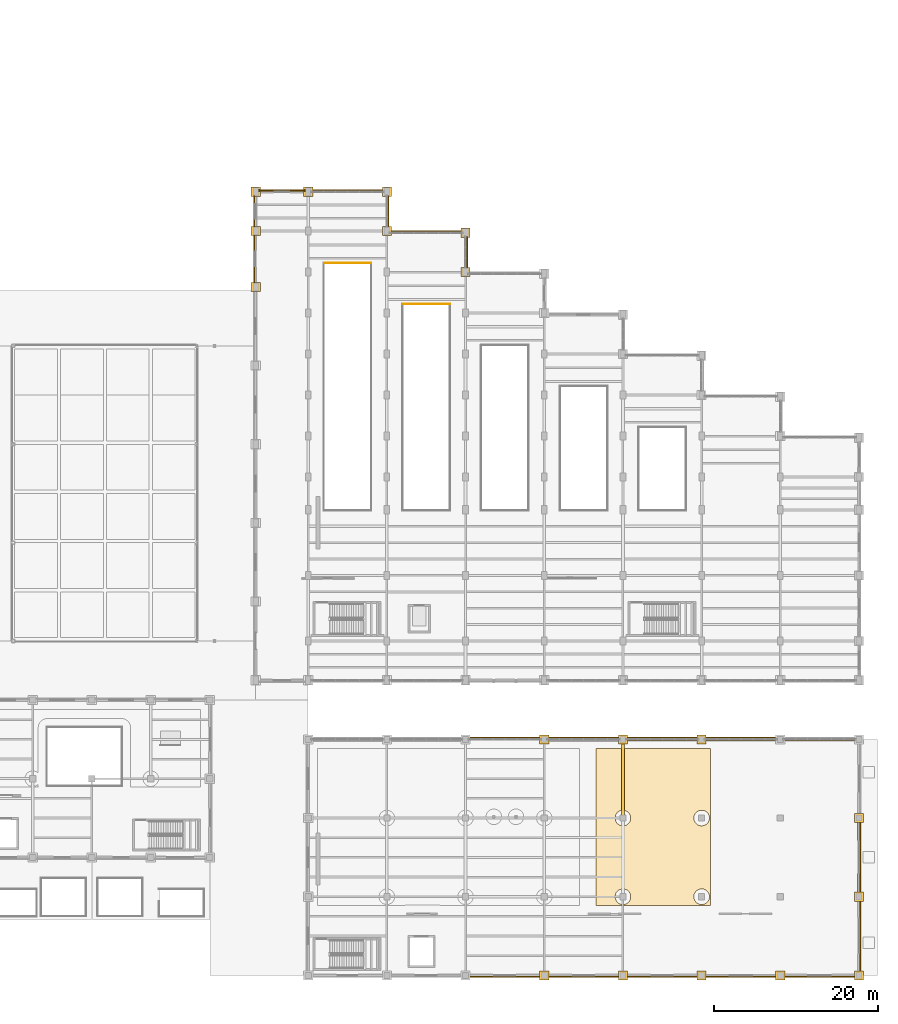
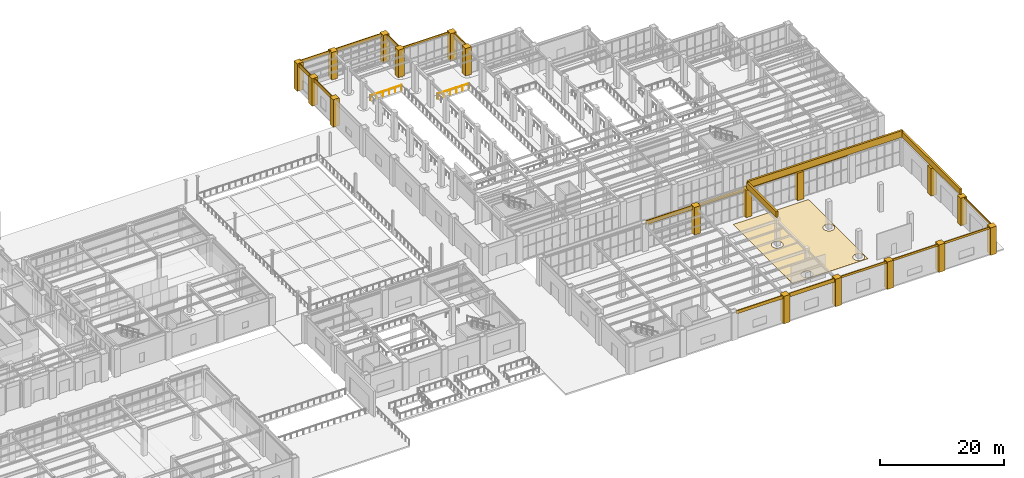
# One storey, part 158 of 164: 40 coverings, 2 railings.
"""IFC4 building model written with IfcOpenShell, lengths in metres."""

from ifc_helpers import new_model, si_unit, direction, frame, origin, origin_2d, place, context, subcontext, project, spatial, polyline, circle, outline, extrude, material, layer, layer_set, type_object, element, save


model = new_model("IFC4")

# Units and contexts
model_context = context("Model", 3, precision=1e-05, world=origin(), true_north=direction((0.0, 1.0)))
body_context = subcontext(model_context, "Body", "Model", "MODEL_VIEW")
ifc_project = project(units=[si_unit("LENGTHUNIT", "METRE"), si_unit("AREAUNIT", "SQUARE_METRE"), si_unit("VOLUMEUNIT", "CUBIC_METRE"), si_unit("PLANEANGLEUNIT", "RADIAN"), si_unit("MASSUNIT", "GRAM", prefix="KILO")], contexts=[model_context])

# Site, building, storey
site_placement = place(None, origin())
site = spatial("IfcSite", under=ifc_project, at=site_placement, CompositionType="ELEMENT")
building_placement = place(site_placement, origin())
building = spatial("IfcBuilding", under=site, at=building_placement, Name="Mavantir Sound Aquarium", CompositionType="ELEMENT")
storey_placement = place(building_placement, origin())
storey = spatial("IfcBuildingStorey", under=building, at=storey_placement, Name="L00", CompositionType="ELEMENT", Elevation=0.0)

# Coverings
ifc_material_1 = material(Name="Honed Coral-Limestone & Glazed Terracotta Rainscreen Cladding", Category="masonry")
ifc_layer_1 = layer(ifc_material_1, 0.06005859375, Name="Honed Coral-Limestone & Glazed Terracotta Rainscreen Cladding")
ifc_layer_set_1 = layer_set([ifc_layer_1], Name="Honed Coral-Limestone & Glazed Terracotta Rainscreen Cladding")
covering_type_1 = type_object("IfcCoveringType", Name="COV-CLAD-TC", PredefinedType="CLADDING", material=ifc_layer_set_1)
covering_1_placement = place(storey_placement, frame((0.0, 0.0, 4.4150390625)))
element("IfcCovering", 1, at=covering_1_placement, inside=storey, type_object=covering_type_1, Name="L00 Postmodern coral-limestone spandrel frieze 69", PredefinedType="CLADDING", context=body_context, shape_type="SweptSolid", body=[
    extrude(outline(polyline([(127.2900390625, 86.30810546875), (127.2900390625, 90.092041015625), (127.43994140625, 90.092041015625), (127.43994140625, 86.30810546875), (127.2900390625, 86.30810546875)])), origin(), (0.0, 0.0, 1.0), 0.98486328125),
])
covering_2_placement = place(storey_placement, frame((0.0, 0.0, 5.010009765625)))
element("IfcCovering", 2, at=covering_2_placement, inside=storey, type_object=covering_type_1, Name="L00 Postmodern coral-limestone spandrel frieze 70", PredefinedType="CLADDING", context=body_context, shape_type="SweptSolid", body=[
    extrude(outline(polyline([(126.842041015625, 90.68994140625), (117.9580078125, 90.68994140625), (117.9580078125, 90.840087890625), (126.842041015625, 90.840087890625), (126.842041015625, 90.68994140625)])), origin(), (0.0, 0.0, 1.0), 0.389892578125),
])
covering_3_placement = place(storey_placement, frame((0.0, 0.0, 4.51708984375)))
element("IfcCovering", 3, at=covering_3_placement, inside=storey, type_object=covering_type_1, Name="L00 Postmodern coral-limestone spandrel frieze 71", PredefinedType="CLADDING", context=body_context, shape_type="SweptSolid", body=[
    extrude(outline(polyline([(117.68994140625, 91.30810546875), (117.68994140625, 95.092041015625), (117.840087890625, 95.092041015625), (117.840087890625, 91.30810546875), (117.68994140625, 91.30810546875)])), origin(), (0.0, 0.0, 1.0), 0.8828125),
])
covering_4_placement = place(storey_placement, frame((0.0, 0.0, 4.677978515625)))
element("IfcCovering", 4, at=covering_4_placement, inside=storey, type_object=covering_type_1, Name="L00 Postmodern coral-limestone spandrel frieze 72", PredefinedType="CLADDING", context=body_context, shape_type="SweptSolid", body=[
    extrude(outline(polyline([(117.241943359375, 95.68994140625), (108.35791015625, 95.68994140625), (108.35791015625, 95.840087890625), (117.241943359375, 95.840087890625), (117.241943359375, 95.68994140625)])), origin(), (0.0, 0.0, 1.0), 0.721923828125),
])
covering_5_placement = place(storey_placement, frame((0.0, 0.0, 4.782958984375)))
element("IfcCovering", 5, at=covering_5_placement, inside=storey, type_object=covering_type_1, Name="L00 Postmodern coral-limestone spandrel frieze 73", PredefinedType="CLADDING", context=body_context, shape_type="SweptSolid", body=[
    extrude(outline(polyline([(107.64208984375, 95.68994140625), (101.9580078125, 95.68994140625), (101.9580078125, 95.840087890625), (107.64208984375, 95.840087890625), (107.64208984375, 95.68994140625)])), origin(), (0.0, 0.0, 1.0), 0.616943359375),
])
covering_6_placement = place(storey_placement, frame((0.0, 0.0, 4.676025390625)))
element("IfcCovering", 6, at=covering_6_placement, inside=storey, type_object=covering_type_1, Name="L00 Postmodern coral-limestone spandrel frieze 74", PredefinedType="CLADDING", context=body_context, shape_type="SweptSolid", body=[
    extrude(outline(polyline([(101.510009765625, 95.092041015625), (101.510009765625, 91.30810546875), (101.360107421875, 91.30810546875), (101.360107421875, 95.092041015625), (101.510009765625, 95.092041015625)])), origin(), (0.0, 0.0, 1.0), 0.723876953125),
])
covering_7_placement = place(storey_placement, frame((0.0, 0.0, 4.68603515625)))
element("IfcCovering", 7, at=covering_7_placement, inside=storey, type_object=covering_type_1, Name="L00 Postmodern coral-limestone spandrel frieze 75", PredefinedType="CLADDING", context=body_context, shape_type="SweptSolid", body=[
    extrude(outline(polyline([(101.510009765625, 90.2919921875), (101.510009765625, 84.508056640625), (101.360107421875, 84.508056640625), (101.360107421875, 90.2919921875), (101.510009765625, 90.2919921875)])), origin(), (0.0, 0.0, 1.0), 0.7138671875),
])
covering_8_placement = place(storey_placement, frame((0.0, 0.0, 4.996826171875)))
element("IfcCovering", 8, at=covering_8_placement, inside=storey, type_object=covering_type_1, Name="L00 Postmodern coral-limestone spandrel frieze 123", PredefinedType="CLADDING", context=body_context, shape_type="SweptSolid", body=[
    extrude(outline(polyline([(175.2900390625, 0.383056640625), (175.2900390625, 9.217041015625), (175.43994140625, 9.217041015625), (175.43994140625, 0.383056640625), (175.2900390625, 0.383056640625)])), origin(), (0.0, 0.0, 1.0), 0.403076171875),
])
covering_9_placement = place(storey_placement, frame((0.0, 0.0, 5.003662109375)))
element("IfcCovering", 9, at=covering_9_placement, inside=storey, type_object=covering_type_1, Name="L00 Postmodern coral-limestone spandrel frieze 124", PredefinedType="CLADDING", context=body_context, shape_type="SweptSolid", body=[
    extrude(outline(polyline([(175.2900390625, 9.98291015625), (175.2900390625, 18.81689453125), (175.43994140625, 18.81689453125), (175.43994140625, 9.98291015625), (175.2900390625, 9.98291015625)])), origin(), (0.0, 0.0, 1.0), 0.396240234375),
])
covering_10_placement = place(storey_placement, frame((0.0, 0.0, 5.010009765625)))
element("IfcCovering", 10, at=covering_10_placement, inside=storey, type_object=covering_type_1, Name="L00 Postmodern coral-limestone spandrel frieze 127", PredefinedType="CLADDING", context=body_context, shape_type="SweptSolid", body=[
    extrude(outline(polyline([(165.217041015625, 28.889892578125), (156.383056640625, 28.889892578125), (156.383056640625, 29.0400390625), (165.217041015625, 29.0400390625), (165.217041015625, 28.889892578125)])), origin(), (0.0, 0.0, 1.0), 0.389892578125),
])
covering_11_placement = place(storey_placement, frame((0.0, 0.0, 5.010009765625)))
element("IfcCovering", 11, at=covering_11_placement, inside=storey, type_object=covering_type_1, Name="L00 Postmodern coral-limestone spandrel frieze 128", PredefinedType="CLADDING", context=body_context, shape_type="SweptSolid", body=[
    extrude(outline(polyline([(155.616943359375, 28.889892578125), (146.782958984375, 28.889892578125), (146.782958984375, 29.0400390625), (155.616943359375, 29.0400390625), (155.616943359375, 28.889892578125)])), origin(), (0.0, 0.0, 1.0), 0.389892578125),
])
covering_12_placement = place(storey_placement, frame((0.0, 0.0, 4.72802734375)))
element("IfcCovering", 12, at=covering_12_placement, inside=storey, type_object=covering_type_1, Name="L00 Postmodern coral-limestone spandrel frieze 129", PredefinedType="CLADDING", context=body_context, shape_type="SweptSolid", body=[
    extrude(outline(polyline([(146.01708984375, 28.889892578125), (137.18310546875, 28.889892578125), (137.18310546875, 29.0400390625), (146.01708984375, 29.0400390625), (146.01708984375, 28.889892578125)])), origin(), (0.0, 0.0, 1.0), 0.671875),
])
covering_13_placement = place(storey_placement, frame((0.0, 0.0, 4.571044921875)))
element("IfcCovering", 13, at=covering_13_placement, inside=storey, type_object=covering_type_1, Name="L00 Postmodern coral-limestone spandrel frieze 130", PredefinedType="CLADDING", context=body_context, shape_type="SweptSolid", body=[
    extrude(outline(polyline([(136.4169921875, 28.889892578125), (127.5830078125, 28.889892578125), (127.5830078125, 29.0400390625), (136.4169921875, 29.0400390625), (136.4169921875, 28.889892578125)])), origin(), (0.0, 0.0, 1.0), 0.828857421875),
])
covering_14_placement = place(storey_placement, frame((0.0, 0.0, 4.762939453125)))
element("IfcCovering", 14, at=covering_14_placement, inside=storey, type_object=covering_type_1, Name="L00 Postmodern coral-limestone spandrel frieze 138", PredefinedType="CLADDING", context=body_context, shape_type="SweptSolid", body=[
    extrude(outline(polyline([(127.5830078125, -0.090087890625), (136.4169921875, -0.090087890625), (136.4169921875, -0.239990234375), (127.5830078125, -0.239990234375), (127.5830078125, -0.090087890625)])), origin(), (0.0, 0.0, 1.0), 0.636962890625),
])
covering_15_placement = place(storey_placement, frame((0.0, 0.0, 4.657958984375)))
element("IfcCovering", 15, at=covering_15_placement, inside=storey, type_object=covering_type_1, Name="L00 Postmodern coral-limestone spandrel frieze 139", PredefinedType="CLADDING", context=body_context, shape_type="SweptSolid", body=[
    extrude(outline(polyline([(137.18310546875, -0.090087890625), (146.01708984375, -0.090087890625), (146.01708984375, -0.239990234375), (137.18310546875, -0.239990234375), (137.18310546875, -0.090087890625)])), origin(), (0.0, 0.0, 1.0), 0.741943359375),
])
covering_16_placement = place(storey_placement, frame((0.0, 0.0, 4.996826171875)))
element("IfcCovering", 16, at=covering_16_placement, inside=storey, type_object=covering_type_1, Name="L00 Postmodern coral-limestone spandrel frieze 140", PredefinedType="CLADDING", context=body_context, shape_type="SweptSolid", body=[
    extrude(outline(polyline([(146.782958984375, -0.090087890625), (155.616943359375, -0.090087890625), (155.616943359375, -0.239990234375), (146.782958984375, -0.239990234375), (146.782958984375, -0.090087890625)])), origin(), (0.0, 0.0, 1.0), 0.403076171875),
])
covering_17_placement = place(storey_placement, frame((0.0, 0.0, 4.996826171875)))
element("IfcCovering", 17, at=covering_17_placement, inside=storey, type_object=covering_type_1, Name="L00 Postmodern coral-limestone spandrel frieze 141", PredefinedType="CLADDING", context=body_context, shape_type="SweptSolid", body=[
    extrude(outline(polyline([(156.383056640625, -0.090087890625), (165.217041015625, -0.090087890625), (165.217041015625, -0.239990234375), (156.383056640625, -0.239990234375), (156.383056640625, -0.090087890625)])), origin(), (0.0, 0.0, 1.0), 0.403076171875),
])
covering_18_placement = place(storey_placement, frame((0.0, 0.0, 4.996826171875)))
element("IfcCovering", 18, at=covering_18_placement, inside=storey, type_object=covering_type_1, Name="L00 Postmodern coral-limestone spandrel frieze 142", PredefinedType="CLADDING", context=body_context, shape_type="SweptSolid", body=[
    extrude(outline(polyline([(165.98291015625, -0.090087890625), (174.81689453125, -0.090087890625), (174.81689453125, -0.239990234375), (165.98291015625, -0.239990234375), (165.98291015625, -0.090087890625)])), origin(), (0.0, 0.0, 1.0), 0.403076171875),
])
covering_19_placement = place(storey_placement, origin())
element("IfcCovering", 19, at=covering_19_placement, inside=storey, type_object=covering_type_1, Name="L00 Postmodern coral-limestone pilaster casing 221", PredefinedType="CLADDING", context=body_context, shape_type="SweptSolid", body=[
    extrude(outline(polyline([(101.0400390625, 83.43994140625), (102.159912109375, 83.43994140625), (102.159912109375, 84.56005859375), (101.0400390625, 84.56005859375), (101.0400390625, 83.43994140625)])), origin(), (0.0, 0.0, 1.0), 5.39990234375),
])
covering_20_placement = place(storey_placement, origin())
element("IfcCovering", 20, at=covering_20_placement, inside=storey, type_object=covering_type_1, Name="L00 Postmodern coral-limestone pilaster casing 223", PredefinedType="CLADDING", context=body_context, shape_type="SweptSolid", body=[
    extrude(outline(polyline([(101.0400390625, 90.239990234375), (102.159912109375, 90.239990234375), (102.159912109375, 91.360107421875), (101.0400390625, 91.360107421875), (101.0400390625, 90.239990234375)])), origin(), (0.0, 0.0, 1.0), 5.39990234375),
])
covering_21_placement = place(storey_placement, origin())
element("IfcCovering", 21, at=covering_21_placement, inside=storey, type_object=covering_type_1, Name="L00 Postmodern coral-limestone pilaster casing 225", PredefinedType="CLADDING", context=body_context, shape_type="SweptSolid", body=[
    extrude(outline(polyline([(101.0400390625, 95.0400390625), (102.159912109375, 95.0400390625), (102.159912109375, 96.159912109375), (101.0400390625, 96.159912109375), (101.0400390625, 95.0400390625)])), origin(), (0.0, 0.0, 1.0), 5.39990234375),
])
covering_22_placement = place(storey_placement, origin())
element("IfcCovering", 22, at=covering_22_placement, inside=storey, type_object=covering_type_1, Name="L00 Postmodern coral-limestone pilaster casing 249", PredefinedType="CLADDING", context=body_context, shape_type="SweptSolid", body=[
    extrude(outline(polyline([(107.43994140625, 95.0400390625), (108.56005859375, 95.0400390625), (108.56005859375, 96.159912109375), (107.43994140625, 96.159912109375), (107.43994140625, 95.0400390625)])), origin(), (0.0, 0.0, 1.0), 5.39990234375),
])
covering_23_placement = place(storey_placement, origin())
element("IfcCovering", 23, at=covering_23_placement, inside=storey, type_object=covering_type_1, Name="L00 Postmodern coral-limestone pilaster casing 257", PredefinedType="CLADDING", context=body_context, shape_type="SweptSolid", body=[
    extrude(outline(polyline([(117.0400390625, 90.239990234375), (118.159912109375, 90.239990234375), (118.159912109375, 91.360107421875), (117.0400390625, 91.360107421875), (117.0400390625, 90.239990234375)])), origin(), (0.0, 0.0, 1.0), 5.39990234375),
])
covering_24_placement = place(storey_placement, origin())
element("IfcCovering", 24, at=covering_24_placement, inside=storey, type_object=covering_type_1, Name="L00 Postmodern coral-limestone pilaster casing 261", PredefinedType="CLADDING", context=body_context, shape_type="SweptSolid", body=[
    extrude(outline(polyline([(117.0400390625, 95.0400390625), (118.159912109375, 95.0400390625), (118.159912109375, 96.159912109375), (117.0400390625, 96.159912109375), (117.0400390625, 95.0400390625)])), origin(), (0.0, 0.0, 1.0), 5.39990234375),
])
covering_25_placement = place(storey_placement, origin())
element("IfcCovering", 25, at=covering_25_placement, inside=storey, type_object=covering_type_1, Name="L00 Postmodern coral-limestone pilaster casing 269", PredefinedType="CLADDING", context=body_context, shape_type="SweptSolid", body=[
    extrude(outline(polyline([(126.639892578125, 85.239990234375), (127.760009765625, 85.239990234375), (127.760009765625, 86.360107421875), (126.639892578125, 86.360107421875), (126.639892578125, 85.239990234375)])), origin(), (0.0, 0.0, 1.0), 5.39990234375),
])
covering_26_placement = place(storey_placement, origin())
element("IfcCovering", 26, at=covering_26_placement, inside=storey, type_object=covering_type_1, Name="L00 Postmodern coral-limestone pilaster casing 273", PredefinedType="CLADDING", context=body_context, shape_type="SweptSolid", body=[
    extrude(outline(polyline([(126.639892578125, 90.0400390625), (127.760009765625, 90.0400390625), (127.760009765625, 91.159912109375), (126.639892578125, 91.159912109375), (126.639892578125, 90.0400390625)])), origin(), (0.0, 0.0, 1.0), 5.39990234375),
])
covering_27_placement = place(storey_placement, origin())
element("IfcCovering", 27, at=covering_27_placement, inside=storey, type_object=covering_type_1, Name="L00 Postmodern coral-limestone pilaster casing 447", PredefinedType="CLADDING", context=body_context, shape_type="SweptSolid", body=[
    extrude(outline(polyline([(136.239990234375, -0.56005859375), (137.360107421875, -0.56005859375), (137.360107421875, 0.56005859375), (136.239990234375, 0.56005859375), (136.239990234375, -0.56005859375)])), origin(), (0.0, 0.0, 1.0), 5.39990234375),
])
covering_28_placement = place(storey_placement, origin())
element("IfcCovering", 28, at=covering_28_placement, inside=storey, type_object=covering_type_1, Name="L00 Postmodern coral-limestone pilaster casing 453", PredefinedType="CLADDING", context=body_context, shape_type="SweptSolid", body=[
    extrude(outline(polyline([(136.239990234375, 28.239990234375), (137.360107421875, 28.239990234375), (137.360107421875, 29.360107421875), (136.239990234375, 29.360107421875), (136.239990234375, 28.239990234375)])), origin(), (0.0, 0.0, 1.0), 5.39990234375),
])
covering_29_placement = place(storey_placement, origin())
element("IfcCovering", 29, at=covering_29_placement, inside=storey, type_object=covering_type_1, Name="L00 Postmodern coral-limestone pilaster casing 454", PredefinedType="CLADDING", context=body_context, shape_type="SweptSolid", body=[
    extrude(outline(polyline([(145.840087890625, -0.56005859375), (146.9599609375, -0.56005859375), (146.9599609375, 0.56005859375), (145.840087890625, 0.56005859375), (145.840087890625, -0.56005859375)])), origin(), (0.0, 0.0, 1.0), 5.39990234375),
])
covering_30_placement = place(storey_placement, origin())
element("IfcCovering", 30, at=covering_30_placement, inside=storey, type_object=covering_type_1, Name="L00 Postmodern coral-limestone pilaster casing 458", PredefinedType="CLADDING", context=body_context, shape_type="SweptSolid", body=[
    extrude(outline(polyline([(145.840087890625, 28.239990234375), (146.9599609375, 28.239990234375), (146.9599609375, 29.360107421875), (145.840087890625, 29.360107421875), (145.840087890625, 28.239990234375)])), origin(), (0.0, 0.0, 1.0), 5.39990234375),
])
covering_31_placement = place(storey_placement, origin())
element("IfcCovering", 31, at=covering_31_placement, inside=storey, type_object=covering_type_1, Name="L00 Postmodern coral-limestone pilaster casing 459", PredefinedType="CLADDING", context=body_context, shape_type="SweptSolid", body=[
    extrude(outline(polyline([(155.43994140625, -0.56005859375), (156.56005859375, -0.56005859375), (156.56005859375, 0.56005859375), (155.43994140625, 0.56005859375), (155.43994140625, -0.56005859375)])), origin(), (0.0, 0.0, 1.0), 5.39990234375),
])
covering_32_placement = place(storey_placement, origin())
element("IfcCovering", 32, at=covering_32_placement, inside=storey, type_object=covering_type_1, Name="L00 Postmodern coral-limestone pilaster casing 460", PredefinedType="CLADDING", context=body_context, shape_type="SweptSolid", body=[
    extrude(outline(polyline([(155.43994140625, 28.239990234375), (156.56005859375, 28.239990234375), (156.56005859375, 29.360107421875), (155.43994140625, 29.360107421875), (155.43994140625, 28.239990234375)])), origin(), (0.0, 0.0, 1.0), 5.39990234375),
])
covering_33_placement = place(storey_placement, origin())
element("IfcCovering", 33, at=covering_33_placement, inside=storey, type_object=covering_type_1, Name="L00 Postmodern coral-limestone pilaster casing 461", PredefinedType="CLADDING", context=body_context, shape_type="SweptSolid", body=[
    extrude(outline(polyline([(165.0400390625, -0.56005859375), (166.159912109375, -0.56005859375), (166.159912109375, 0.56005859375), (165.0400390625, 0.56005859375), (165.0400390625, -0.56005859375)])), origin(), (0.0, 0.0, 1.0), 5.39990234375),
])
covering_34_placement = place(storey_placement, origin())
element("IfcCovering", 34, at=covering_34_placement, inside=storey, type_object=covering_type_1, Name="L00 Postmodern coral-limestone pilaster casing 463", PredefinedType="CLADDING", context=body_context, shape_type="SweptSolid", body=[
    extrude(outline(polyline([(174.639892578125, -0.56005859375), (175.760009765625, -0.56005859375), (175.760009765625, 0.56005859375), (174.639892578125, 0.56005859375), (174.639892578125, -0.56005859375)])), origin(), (0.0, 0.0, 1.0), 5.39990234375),
])
covering_35_placement = place(storey_placement, origin())
element("IfcCovering", 35, at=covering_35_placement, inside=storey, type_object=covering_type_1, Name="L00 Postmodern coral-limestone pilaster casing 464", PredefinedType="CLADDING", context=body_context, shape_type="SweptSolid", body=[
    extrude(outline(polyline([(174.639892578125, 9.0400390625), (175.760009765625, 9.0400390625), (175.760009765625, 10.159912109375), (174.639892578125, 10.159912109375), (174.639892578125, 9.0400390625)])), origin(), (0.0, 0.0, 1.0), 5.39990234375),
])
covering_36_placement = place(storey_placement, origin())
element("IfcCovering", 36, at=covering_36_placement, inside=storey, type_object=covering_type_1, Name="L00 Postmodern coral-limestone pilaster casing 465", PredefinedType="CLADDING", context=body_context, shape_type="SweptSolid", body=[
    extrude(outline(polyline([(174.639892578125, 18.639892578125), (175.760009765625, 18.639892578125), (175.760009765625, 19.760009765625), (174.639892578125, 19.760009765625), (174.639892578125, 18.639892578125)])), origin(), (0.0, 0.0, 1.0), 5.39990234375),
])
covering_37_placement = place(storey_placement, frame((0.0, 0.0, 5.39990234375)))
element("IfcCovering", 37, at=covering_37_placement, inside=storey, type_object=covering_type_1, Name="L00 Postmodern coral-limestone tympanum closure V6L-TYM-N", PredefinedType="CLADDING", context=body_context, shape_type="SweptSolid", body=[
    extrude(outline(polyline([(146.39990234375, 28.6201171875), (175.199951171875, 28.6201171875), (175.199951171875, 28.97998046875), (146.39990234375, 28.97998046875), (146.39990234375, 28.6201171875)])), origin(), (0.0, 0.0, 1.0), 1.300048828125),
])
covering_38_placement = place(storey_placement, frame((0.0, 0.0, 5.39990234375)))
element("IfcCovering", 38, at=covering_38_placement, inside=storey, type_object=covering_type_1, Name="L00 Postmodern coral-limestone tympanum closure V6L-TYM-E", PredefinedType="CLADDING", context=body_context, shape_type="SweptSolid", body=[
    extrude(outline(polyline([(175.02001953125, 10.0), (175.3798828125, 10.0), (175.3798828125, 28.800048828125), (175.02001953125, 28.800048828125), (175.02001953125, 10.0)])), origin(), (0.0, 0.0, 1.0), 1.10009765625),
])
covering_39_placement = place(storey_placement, frame((0.0, 0.0, 5.39990234375)))
element("IfcCovering", 39, at=covering_39_placement, inside=storey, type_object=covering_type_1, Name="L00 Postmodern coral-limestone tympanum closure V6L-TYM-W", PredefinedType="CLADDING", context=body_context, shape_type="SweptSolid", body=[
    extrude(outline(polyline([(146.219970703125, 19.199951171875), (146.580078125, 19.199951171875), (146.580078125, 28.800048828125), (146.219970703125, 28.800048828125), (146.219970703125, 19.199951171875)])), origin(), (0.0, 0.0, 1.0), 1.150146484375),
])
ifc_material_2 = material(Name="Marine Epoxy Recycled-Shell Terrazzo Flooring")
ifc_layer_2 = layer(ifc_material_2, 0.030029296875, Name="Marine Epoxy Recycled-Shell Terrazzo Flooring")
ifc_layer_set_2 = layer_set([ifc_layer_2], Name="Marine Epoxy Recycled-Shell Terrazzo Flooring")
covering_type_2 = type_object("IfcCoveringType", Name="COV-FLR-TZ", PredefinedType="FLOORING", material=ifc_layer_set_2)
covering_40_placement = place(storey_placement, origin())
element("IfcCovering", 40, at=covering_40_placement, inside=storey, type_object=covering_type_2, Name="L00 Quarantine Isolation Pools and Necropsy Lab terrazzo flooring", PredefinedType="FLOORING", context=body_context, shape_type="SweptSolid", body=[
    extrude(outline(polyline([(143.10009765625, 27.659912109375), (157.10009765625, 27.659912109375), (157.10009765625, 8.5), (143.10009765625, 8.5), (143.10009765625, 27.659912109375)]), holes=[polyline([(147.134521484375, 8.997314453125), (147.18994140625, 9.072265625), (147.23779296875, 9.152099609375), (147.277587890625, 9.236572265625), (147.30908203125, 9.32421875), (147.331787109375, 9.414794921875), (147.345458984375, 9.5068359375), (147.35009765625, 9.60009765625), (147.345458984375, 9.693115234375), (147.331787109375, 9.785400390625), (147.30908203125, 9.875732421875), (147.277587890625, 9.96337890625), (147.23779296875, 10.0478515625), (147.18994140625, 10.127685546875), (147.134521484375, 10.20263671875), (147.07177734375, 10.271728515625), (147.002685546875, 10.33447265625), (146.927734375, 10.389892578125), (146.847900390625, 10.437744140625), (146.763427734375, 10.477783203125), (146.67578125, 10.509033203125), (146.585205078125, 10.53173828125), (146.4931640625, 10.54541015625), (146.39990234375, 10.550048828125), (146.306884765625, 10.54541015625), (146.214599609375, 10.53173828125), (146.124267578125, 10.509033203125), (146.03662109375, 10.477783203125), (145.9521484375, 10.437744140625), (145.872314453125, 10.389892578125), (145.79736328125, 10.33447265625), (145.728271484375, 10.271728515625), (145.66552734375, 10.20263671875), (145.610107421875, 10.127685546875), (145.562255859375, 10.0478515625), (145.522216796875, 9.96337890625), (145.490966796875, 9.875732421875), (145.46826171875, 9.785400390625), (145.45458984375, 9.693115234375), (145.449951171875, 9.60009765625), (145.45458984375, 9.5068359375), (145.46826171875, 9.414794921875), (145.490966796875, 9.32421875), (145.522216796875, 9.236572265625), (145.562255859375, 9.152099609375), (145.610107421875, 9.072265625), (145.66552734375, 8.997314453125), (145.728271484375, 8.92822265625), (145.79736328125, 8.865478515625), (145.872314453125, 8.81005859375), (145.9521484375, 8.76220703125), (146.03662109375, 8.722412109375), (146.124267578125, 8.69091796875), (146.214599609375, 8.668212890625), (146.306884765625, 8.654541015625), (146.39990234375, 8.64990234375), (146.4931640625, 8.654541015625), (146.585205078125, 8.668212890625), (146.67578125, 8.69091796875), (146.763427734375, 8.722412109375), (146.847900390625, 8.76220703125), (146.927734375, 8.81005859375), (147.002685546875, 8.865478515625), (147.07177734375, 8.92822265625), (147.134521484375, 8.997314453125)]), polyline([(156.734375, 8.997314453125), (156.789794921875, 9.072265625), (156.837890625, 9.152099609375), (156.877685546875, 9.236572265625), (156.9091796875, 9.32421875), (156.931640625, 9.414794921875), (156.9453125, 9.5068359375), (156.949951171875, 9.60009765625), (156.9453125, 9.693115234375), (156.931640625, 9.785400390625), (156.9091796875, 9.875732421875), (156.877685546875, 9.96337890625), (156.837890625, 10.0478515625), (156.789794921875, 10.127685546875), (156.734375, 10.20263671875), (156.671875, 10.271728515625), (156.602783203125, 10.33447265625), (156.52783203125, 10.389892578125), (156.44775390625, 10.437744140625), (156.363525390625, 10.477783203125), (156.27587890625, 10.509033203125), (156.185302734375, 10.53173828125), (156.093017578125, 10.54541015625), (156.0, 10.550048828125), (155.906982421875, 10.54541015625), (155.814697265625, 10.53173828125), (155.72412109375, 10.509033203125), (155.636474609375, 10.477783203125), (155.55224609375, 10.437744140625), (155.47216796875, 10.389892578125), (155.397216796875, 10.33447265625), (155.328125, 10.271728515625), (155.265625, 10.20263671875), (155.210205078125, 10.127685546875), (155.162109375, 10.0478515625), (155.122314453125, 9.96337890625), (155.0908203125, 9.875732421875), (155.068359375, 9.785400390625), (155.0546875, 9.693115234375), (155.050048828125, 9.60009765625), (155.0546875, 9.5068359375), (155.068359375, 9.414794921875), (155.0908203125, 9.32421875), (155.122314453125, 9.236572265625), (155.162109375, 9.152099609375), (155.210205078125, 9.072265625), (155.265625, 8.997314453125), (155.328125, 8.92822265625), (155.397216796875, 8.865478515625), (155.47216796875, 8.81005859375), (155.55224609375, 8.76220703125), (155.636474609375, 8.722412109375), (155.72412109375, 8.69091796875), (155.814697265625, 8.668212890625), (155.906982421875, 8.654541015625), (156.0, 8.64990234375), (156.093017578125, 8.654541015625), (156.185302734375, 8.668212890625), (156.27587890625, 8.69091796875), (156.363525390625, 8.722412109375), (156.44775390625, 8.76220703125), (156.52783203125, 8.81005859375), (156.602783203125, 8.865478515625), (156.671875, 8.92822265625), (156.734375, 8.997314453125)]), polyline([(156.734375, 18.597412109375), (156.789794921875, 18.672119140625), (156.837890625, 18.752197265625), (156.877685546875, 18.83642578125), (156.9091796875, 18.92431640625), (156.931640625, 19.0146484375), (156.9453125, 19.10693359375), (156.949951171875, 19.199951171875), (156.9453125, 19.293212890625), (156.931640625, 19.38525390625), (156.9091796875, 19.475830078125), (156.877685546875, 19.5634765625), (156.837890625, 19.647705078125), (156.789794921875, 19.727783203125), (156.734375, 19.802734375), (156.671875, 19.871826171875), (156.602783203125, 19.934326171875), (156.52783203125, 19.989990234375), (156.44775390625, 20.037841796875), (156.363525390625, 20.07763671875), (156.27587890625, 20.109130859375), (156.185302734375, 20.131591796875), (156.093017578125, 20.1455078125), (156.0, 20.14990234375), (155.906982421875, 20.1455078125), (155.814697265625, 20.131591796875), (155.72412109375, 20.109130859375), (155.636474609375, 20.07763671875), (155.55224609375, 20.037841796875), (155.47216796875, 19.989990234375), (155.397216796875, 19.934326171875), (155.328125, 19.871826171875), (155.265625, 19.802734375), (155.210205078125, 19.727783203125), (155.162109375, 19.647705078125), (155.122314453125, 19.5634765625), (155.0908203125, 19.475830078125), (155.068359375, 19.38525390625), (155.0546875, 19.293212890625), (155.050048828125, 19.199951171875), (155.0546875, 19.10693359375), (155.068359375, 19.0146484375), (155.0908203125, 18.92431640625), (155.122314453125, 18.83642578125), (155.162109375, 18.752197265625), (155.210205078125, 18.672119140625), (155.265625, 18.597412109375), (155.328125, 18.5283203125), (155.397216796875, 18.465576171875), (155.47216796875, 18.41015625), (155.55224609375, 18.3623046875), (155.636474609375, 18.322265625), (155.72412109375, 18.291015625), (155.814697265625, 18.268310546875), (155.906982421875, 18.254638671875), (156.0, 18.25), (156.093017578125, 18.254638671875), (156.185302734375, 18.268310546875), (156.27587890625, 18.291015625), (156.363525390625, 18.322265625), (156.44775390625, 18.3623046875), (156.52783203125, 18.41015625), (156.602783203125, 18.465576171875), (156.671875, 18.5283203125), (156.734375, 18.597412109375)]), polyline([(147.134521484375, 18.597412109375), (147.18994140625, 18.672119140625), (147.23779296875, 18.752197265625), (147.277587890625, 18.83642578125), (147.30908203125, 18.92431640625), (147.331787109375, 19.0146484375), (147.345458984375, 19.10693359375), (147.35009765625, 19.199951171875), (147.345458984375, 19.293212890625), (147.331787109375, 19.38525390625), (147.30908203125, 19.475830078125), (147.277587890625, 19.5634765625), (147.23779296875, 19.647705078125), (147.18994140625, 19.727783203125), (147.134521484375, 19.802734375), (147.07177734375, 19.871826171875), (147.002685546875, 19.934326171875), (146.927734375, 19.989990234375), (146.847900390625, 20.037841796875), (146.763427734375, 20.07763671875), (146.67578125, 20.109130859375), (146.585205078125, 20.131591796875), (146.4931640625, 20.1455078125), (146.39990234375, 20.14990234375), (146.306884765625, 20.1455078125), (146.214599609375, 20.131591796875), (146.124267578125, 20.109130859375), (146.03662109375, 20.07763671875), (145.9521484375, 20.037841796875), (145.872314453125, 19.989990234375), (145.79736328125, 19.934326171875), (145.728271484375, 19.871826171875), (145.66552734375, 19.802734375), (145.610107421875, 19.727783203125), (145.562255859375, 19.647705078125), (145.522216796875, 19.5634765625), (145.490966796875, 19.475830078125), (145.46826171875, 19.38525390625), (145.45458984375, 19.293212890625), (145.449951171875, 19.199951171875), (145.45458984375, 19.10693359375), (145.46826171875, 19.0146484375), (145.490966796875, 18.92431640625), (145.522216796875, 18.83642578125), (145.562255859375, 18.752197265625), (145.610107421875, 18.672119140625), (145.66552734375, 18.597412109375), (145.728271484375, 18.5283203125), (145.79736328125, 18.465576171875), (145.872314453125, 18.41015625), (145.9521484375, 18.3623046875), (146.03662109375, 18.322265625), (146.124267578125, 18.291015625), (146.214599609375, 18.268310546875), (146.306884765625, 18.254638671875), (146.39990234375, 18.25), (146.4931640625, 18.254638671875), (146.585205078125, 18.268310546875), (146.67578125, 18.291015625), (146.763427734375, 18.322265625), (146.847900390625, 18.3623046875), (146.927734375, 18.41015625), (147.002685546875, 18.465576171875), (147.07177734375, 18.5283203125), (147.134521484375, 18.597412109375)])]), origin(), (0.0, 0.0, 1.0), 0.030029296875),
])

# Railings
ifc_material_3 = material(Name="Stainless Steel 316 and Laminated Glass Guardrail", Category="steel")
railing_type = type_object("IfcRailingType", Name="RL-GUARD-110", PredefinedType="GUARDRAIL", material=ifc_material_3)
for number, where, name in (
    (41, (115.699951171875, 86.89990234375, 0.0), "L00 atrium void N guardrail 69"),
    (42, (125.300048828125, 81.89990234375, 0.0), "L00 atrium void N guardrail 73"),
):
    element("IfcRailing", number, at=place(storey_placement, frame(where)), inside=storey, type_object=railing_type, Name=name, PredefinedType="GUARDRAIL", context=body_context, shape_type="SweptSolid", body=[
        extrude(circle(Radius=0.02392578125, at=origin_2d()), frame((0.0, 0.0, 1.076171875), z_axis=(-1.0, 0.0, 0.0), x_axis=(0.0, -1.0, 0.0)), (0.0, 0.0, 1.0), 5.719970703125),
        extrude(circle(Radius=0.02099609375, at=origin_2d()), origin(), (0.0, 0.0, 1.0), 1.052001953125),
        extrude(circle(Radius=0.02099609375, at=origin_2d()), frame((-1.14404296875, 0.0, 0.0)), (0.0, 0.0, 1.0), 1.052001953125),
        extrude(circle(Radius=0.02099609375, at=origin_2d()), frame((-2.2880859375, 0.0, 0.0)), (0.0, 0.0, 1.0), 1.052001953125),
        extrude(circle(Radius=0.02099609375, at=origin_2d()), frame((-3.431884765625, 0.0, 0.0)), (0.0, 0.0, 1.0), 1.052001953125),
        extrude(circle(Radius=0.02099609375, at=origin_2d()), frame((-4.575927734375, 0.0, 0.0)), (0.0, 0.0, 1.0), 1.052001953125),
        extrude(circle(Radius=0.02099609375, at=origin_2d()), frame((-5.719970703125, 0.0, 0.0)), (0.0, 0.0, 1.0), 1.052001953125),
    ])

save(model, "model.ifc")
